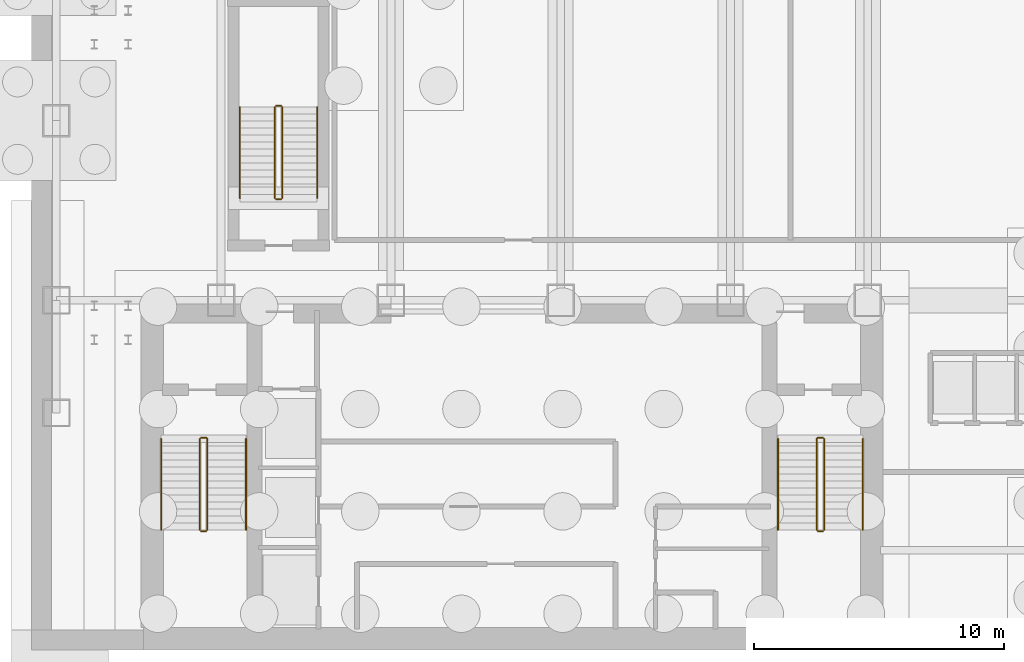
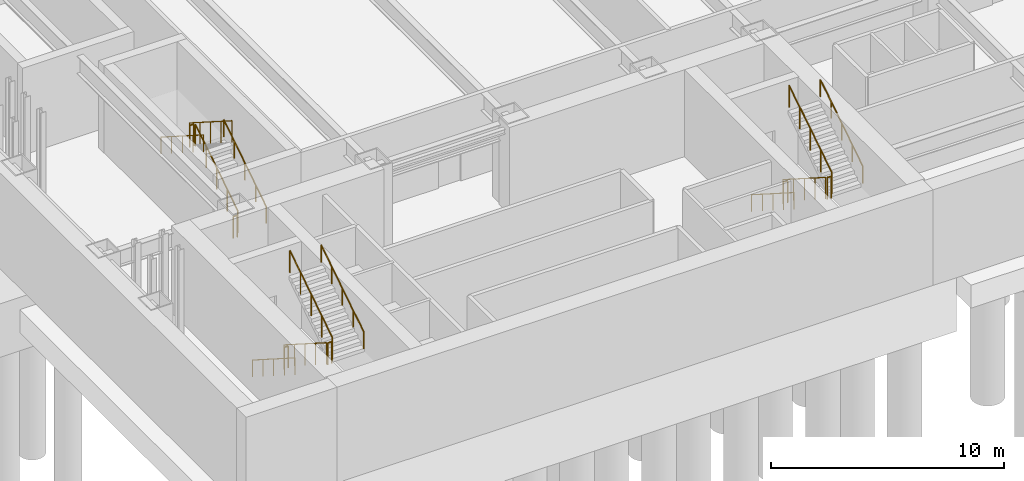
# One storey, part 14 of 17: 18 railings.
"""IFC4 building model written with IfcOpenShell, lengths in metres."""

from ifc_helpers import new_model, si_unit, derived_unit, direction, frame, origin, origin_2d, place, context, subcontext, project, spatial, circle, extrude, material, type_object, element, save


model = new_model("IFC4")

# Units and contexts
model_context = context("Model", 3, precision=1e-05, world=origin(), true_north=direction((0.0, 1.0)))
body_context = subcontext(model_context, "Body", "Model", "MODEL_VIEW")
ifc_project = project(units=[si_unit("LENGTHUNIT", "METRE"), si_unit("AREAUNIT", "SQUARE_METRE"), si_unit("VOLUMEUNIT", "CUBIC_METRE"), si_unit("PLANEANGLEUNIT", "RADIAN"), si_unit("MASSUNIT", "GRAM", prefix="KILO"), derived_unit("THERMALTRANSMITTANCEUNIT", [(si_unit("POWERUNIT", "WATT"), 1), (si_unit("LENGTHUNIT", "METRE"), -2), (si_unit("THERMODYNAMICTEMPERATUREUNIT", "KELVIN"), -1)])], contexts=[model_context])

# Site, building, storey
site_placement = place(None, origin())
site = spatial("IfcSite", under=ifc_project, at=site_placement, CompositionType="ELEMENT")
building_placement = place(site_placement, origin())
building = spatial("IfcBuilding", under=site, at=building_placement, Name="Skarnbrae Concourse Arena and Tower", CompositionType="ELEMENT")
storey_placement = place(building_placement, frame((0.0, 0.0, -10.0)))
storey = spatial("IfcBuildingStorey", under=building, at=storey_placement, Name="B02", CompositionType="ELEMENT", Elevation=-10.0)

# Railings
ifc_material = material(Name="Steel CSA G40.21 350W", Category="steel")
railing_type_1 = type_object("IfcRailingType", Name="RAIL-HANDRAIL-900", PredefinedType="HANDRAIL", material=ifc_material)
railing_1_placement = place(storey_placement, frame((5.199951171875, 8.449951171875, 0.178466796875)))
element("IfcRailing", 1, at=railing_1_placement, inside=storey, type_object=railing_type_1, Name="B02 ST-1 stair handrail 1", PredefinedType="HANDRAIL", context=body_context, shape_type="SweptSolid", body=[
    extrude(circle(Radius=0.02392578125, at=origin_2d()), frame((0.0, 0.0, 0.8759765625), z_axis=(0.0, -0.843111507901, 0.53773877045), x_axis=(1.0, 0.0, 0.0)), (0.0, 0.0, 1.0), 4.317138671875),
    extrude(circle(Radius=0.02099609375, at=origin_2d()), origin(), (0.0, 0.0, 1.0), 0.851806640625),
    extrude(circle(Radius=0.02099609375, at=origin_2d()), frame((0.0, -0.909912109375, 0.580322265625)), (0.0, 0.0, 1.0), 0.851806640625),
    extrude(circle(Radius=0.02099609375, at=origin_2d()), frame((0.0, -1.81982421875, 1.16064453125)), (0.0, 0.0, 1.0), 0.851806640625),
    extrude(circle(Radius=0.02099609375, at=origin_2d()), frame((0.0, -2.72998046875, 1.7412109375)), (0.0, 0.0, 1.0), 0.851806640625),
    extrude(circle(Radius=0.02099609375, at=origin_2d()), frame((0.0, -3.639892578125, 2.321533203125)), (0.0, 0.0, 1.0), 0.851806640625),
])
railing_2_placement = place(storey_placement, frame((8.60009765625, 4.81005859375, 2.678466796875)))
element("IfcRailing", 2, at=railing_2_placement, inside=storey, type_object=railing_type_1, Name="B02 ST-1 stair handrail 2", PredefinedType="HANDRAIL", context=body_context, shape_type="SweptSolid", body=[
    extrude(circle(Radius=0.02392578125, at=origin_2d()), frame((0.0, 0.0, 0.8759765625), z_axis=(0.0, 0.843111507901, 0.53773877045), x_axis=(-1.0, 0.0, 0.0)), (0.0, 0.0, 1.0), 4.317138671875),
    extrude(circle(Radius=0.02099609375, at=origin_2d()), origin(), (0.0, 0.0, 1.0), 0.851806640625),
    extrude(circle(Radius=0.02099609375, at=origin_2d()), frame((0.0, 0.909912109375, 0.580322265625)), (0.0, 0.0, 1.0), 0.851806640625),
    extrude(circle(Radius=0.02099609375, at=origin_2d()), frame((0.0, 1.81982421875, 1.16064453125)), (0.0, 0.0, 1.0), 0.851806640625),
    extrude(circle(Radius=0.02099609375, at=origin_2d()), frame((0.0, 2.72998046875, 1.7412109375)), (0.0, 0.0, 1.0), 0.851806640625),
    extrude(circle(Radius=0.02099609375, at=origin_2d()), frame((0.0, 3.639892578125, 2.321533203125)), (0.0, 0.0, 1.0), 0.851806640625),
])
railing_3_placement = place(storey_placement, frame((29.89990234375, 8.449951171875, 0.178466796875)))
element("IfcRailing", 3, at=railing_3_placement, inside=storey, type_object=railing_type_1, Name="B02 ST-2 stair handrail 1", PredefinedType="HANDRAIL", context=body_context, shape_type="SweptSolid", body=[
    extrude(circle(Radius=0.02392578125, at=origin_2d()), frame((0.0, 0.0, 0.8759765625), z_axis=(0.0, -0.843111507901, 0.53773877045), x_axis=(1.0, 0.0, 0.0)), (0.0, 0.0, 1.0), 4.317138671875),
    extrude(circle(Radius=0.02099609375, at=origin_2d()), origin(), (0.0, 0.0, 1.0), 0.851806640625),
    extrude(circle(Radius=0.02099609375, at=origin_2d()), frame((0.0, -0.909912109375, 0.580322265625)), (0.0, 0.0, 1.0), 0.851806640625),
    extrude(circle(Radius=0.02099609375, at=origin_2d()), frame((0.0, -1.81982421875, 1.16064453125)), (0.0, 0.0, 1.0), 0.851806640625),
    extrude(circle(Radius=0.02099609375, at=origin_2d()), frame((0.0, -2.72998046875, 1.7412109375)), (0.0, 0.0, 1.0), 0.851806640625),
    extrude(circle(Radius=0.02099609375, at=origin_2d()), frame((0.0, -3.639892578125, 2.321533203125)), (0.0, 0.0, 1.0), 0.851806640625),
])
for number, where, name in (
    (4, (33.300048828125, 4.81005859375, 2.678466796875), "B02 ST-2 stair handrail 2"),
    (5, (11.449951171875, 18.10009765625, 0.178466796875), "B02 ST-B3 stair handrail 1"),
):
    element("IfcRailing", number, at=place(storey_placement, frame(where)), inside=storey, type_object=railing_type_1, Name=name, PredefinedType="HANDRAIL", context=body_context, shape_type="SweptSolid", body=[
        extrude(circle(Radius=0.02392578125, at=origin_2d()), frame((0.0, 0.0, 0.8759765625), z_axis=(0.0, 0.843111507901, 0.53773877045), x_axis=(-1.0, 0.0, 0.0)), (0.0, 0.0, 1.0), 4.317138671875),
        extrude(circle(Radius=0.02099609375, at=origin_2d()), origin(), (0.0, 0.0, 1.0), 0.851806640625),
        extrude(circle(Radius=0.02099609375, at=origin_2d()), frame((0.0, 0.909912109375, 0.580322265625)), (0.0, 0.0, 1.0), 0.851806640625),
        extrude(circle(Radius=0.02099609375, at=origin_2d()), frame((0.0, 1.81982421875, 1.16064453125)), (0.0, 0.0, 1.0), 0.851806640625),
        extrude(circle(Radius=0.02099609375, at=origin_2d()), frame((0.0, 2.72998046875, 1.7412109375)), (0.0, 0.0, 1.0), 0.851806640625),
        extrude(circle(Radius=0.02099609375, at=origin_2d()), frame((0.0, 3.639892578125, 2.321533203125)), (0.0, 0.0, 1.0), 0.851806640625),
    ])
railing_4_placement = place(storey_placement, frame((8.35009765625, 21.739990234375, 2.678466796875)))
element("IfcRailing", 6, at=railing_4_placement, inside=storey, type_object=railing_type_1, Name="B02 ST-B3 stair handrail 2", PredefinedType="HANDRAIL", context=body_context, shape_type="SweptSolid", body=[
    extrude(circle(Radius=0.02392578125, at=origin_2d()), frame((0.0, 0.0, 0.8759765625), z_axis=(0.0, -0.843111507901, 0.53773877045), x_axis=(1.0, 0.0, 0.0)), (0.0, 0.0, 1.0), 4.317138671875),
    extrude(circle(Radius=0.02099609375, at=origin_2d()), origin(), (0.0, 0.0, 1.0), 0.851806640625),
    extrude(circle(Radius=0.02099609375, at=origin_2d()), frame((0.0, -0.909912109375, 0.580322265625)), (0.0, 0.0, 1.0), 0.851806640625),
    extrude(circle(Radius=0.02099609375, at=origin_2d()), frame((0.0, -1.81982421875, 1.16064453125)), (0.0, 0.0, 1.0), 0.851806640625),
    extrude(circle(Radius=0.02099609375, at=origin_2d()), frame((0.0, -2.72998046875, 1.7412109375)), (0.0, 0.0, 1.0), 0.851806640625),
    extrude(circle(Radius=0.02099609375, at=origin_2d()), frame((0.0, -3.639892578125, 2.321533203125)), (0.0, 0.0, 1.0), 0.851806640625),
])
railing_type_2 = type_object("IfcRailingType", Name="RAIL-STAIR-GUARD-1150", PredefinedType="GUARDRAIL", material=ifc_material)
railing_5_placement = place(storey_placement, frame((6.75, 8.449951171875, 0.178466796875)))
element("IfcRailing", 7, at=railing_5_placement, inside=storey, type_object=railing_type_2, Name="B02 ST-1 stair guard 1", PredefinedType="GUARDRAIL", context=body_context, shape_type="SweptSolid", body=[
    extrude(circle(Radius=0.02392578125, at=origin_2d()), frame((0.0, 0.0, 1.1259765625), z_axis=(0.0, -0.843111507901, 0.53773877045), x_axis=(1.0, 0.0, 0.0)), (0.0, 0.0, 1.0), 4.317138671875),
    extrude(circle(Radius=0.02099609375, at=origin_2d()), origin(), (0.0, 0.0, 1.0), 1.101806640625),
    extrude(circle(Radius=0.02099609375, at=origin_2d()), frame((0.0, -0.909912109375, 0.580322265625)), (0.0, 0.0, 1.0), 1.101806640625),
    extrude(circle(Radius=0.02099609375, at=origin_2d()), frame((0.0, -1.81982421875, 1.16064453125)), (0.0, 0.0, 1.0), 1.101806640625),
    extrude(circle(Radius=0.02099609375, at=origin_2d()), frame((0.0, -2.72998046875, 1.7412109375)), (0.0, 0.0, 1.0), 1.101806640625),
    extrude(circle(Radius=0.02099609375, at=origin_2d()), frame((0.0, -3.639892578125, 2.321533203125)), (0.0, 0.0, 1.0), 1.101806640625),
])
railing_6_placement = place(storey_placement, frame((6.800048828125, 4.760009765625, 2.5)))
element("IfcRailing", 8, at=railing_6_placement, inside=storey, type_object=railing_type_2, Name="B02 ST-1 stair guard 2", PredefinedType="GUARDRAIL", context=body_context, shape_type="SweptSolid", body=[
    extrude(circle(Radius=0.02392578125, at=origin_2d()), frame((0.0, 0.0, 1.1259765625), z_axis=(1.0, 0.0, 0.0), x_axis=(0.0, 1.0, 0.0)), (0.0, 0.0, 1.0), 0.199951171875),
    extrude(circle(Radius=0.02099609375, at=origin_2d()), origin(), (0.0, 0.0, 1.0), 1.101806640625),
    extrude(circle(Radius=0.02099609375, at=origin_2d()), frame((0.199951171875, 0.0, 0.0)), (0.0, 0.0, 1.0), 1.101806640625),
])
railing_7_placement = place(storey_placement, frame((7.050048828125, 4.81005859375, 2.678466796875)))
element("IfcRailing", 9, at=railing_7_placement, inside=storey, type_object=railing_type_2, Name="B02 ST-1 stair guard 3", PredefinedType="GUARDRAIL", context=body_context, shape_type="SweptSolid", body=[
    extrude(circle(Radius=0.02392578125, at=origin_2d()), frame((0.0, 0.0, 1.1259765625), z_axis=(0.0, 0.843111507901, 0.53773877045), x_axis=(-1.0, 0.0, 0.0)), (0.0, 0.0, 1.0), 4.317138671875),
    extrude(circle(Radius=0.02099609375, at=origin_2d()), origin(), (0.0, 0.0, 1.0), 1.101806640625),
    extrude(circle(Radius=0.02099609375, at=origin_2d()), frame((0.0, 0.909912109375, 0.580322265625)), (0.0, 0.0, 1.0), 1.101806640625),
    extrude(circle(Radius=0.02099609375, at=origin_2d()), frame((0.0, 1.81982421875, 1.16064453125)), (0.0, 0.0, 1.0), 1.101806640625),
    extrude(circle(Radius=0.02099609375, at=origin_2d()), frame((0.0, 2.72998046875, 1.7412109375)), (0.0, 0.0, 1.0), 1.101806640625),
    extrude(circle(Radius=0.02099609375, at=origin_2d()), frame((0.0, 3.639892578125, 2.321533203125)), (0.0, 0.0, 1.0), 1.101806640625),
])
railing_8_placement = place(storey_placement, frame((6.800048828125, 8.5, 0.0)))
element("IfcRailing", 10, at=railing_8_placement, inside=storey, type_object=railing_type_2, Name="B02 ST-1 stair guard 4", PredefinedType="GUARDRAIL", context=body_context, shape_type="SweptSolid", body=[
    extrude(circle(Radius=0.02392578125, at=origin_2d()), frame((0.0, 0.0, 1.1259765625), z_axis=(1.0, 0.0, 0.0), x_axis=(0.0, 1.0, 0.0)), (0.0, 0.0, 1.0), 0.199951171875),
    extrude(circle(Radius=0.02099609375, at=origin_2d()), origin(), (0.0, 0.0, 1.0), 1.101806640625),
    extrude(circle(Radius=0.02099609375, at=origin_2d()), frame((0.199951171875, 0.0, 0.0)), (0.0, 0.0, 1.0), 1.101806640625),
])
railing_9_placement = place(storey_placement, frame((31.449951171875, 8.449951171875, 0.178466796875)))
element("IfcRailing", 11, at=railing_9_placement, inside=storey, type_object=railing_type_2, Name="B02 ST-2 stair guard 1", PredefinedType="GUARDRAIL", context=body_context, shape_type="SweptSolid", body=[
    extrude(circle(Radius=0.02392578125, at=origin_2d()), frame((0.0, 0.0, 1.1259765625), z_axis=(0.0, -0.843111507901, 0.53773877045), x_axis=(1.0, 0.0, 0.0)), (0.0, 0.0, 1.0), 4.317138671875),
    extrude(circle(Radius=0.02099609375, at=origin_2d()), origin(), (0.0, 0.0, 1.0), 1.101806640625),
    extrude(circle(Radius=0.02099609375, at=origin_2d()), frame((0.0, -0.909912109375, 0.580322265625)), (0.0, 0.0, 1.0), 1.101806640625),
    extrude(circle(Radius=0.02099609375, at=origin_2d()), frame((0.0, -1.81982421875, 1.16064453125)), (0.0, 0.0, 1.0), 1.101806640625),
    extrude(circle(Radius=0.02099609375, at=origin_2d()), frame((0.0, -2.72998046875, 1.7412109375)), (0.0, 0.0, 1.0), 1.101806640625),
    extrude(circle(Radius=0.02099609375, at=origin_2d()), frame((0.0, -3.639892578125, 2.321533203125)), (0.0, 0.0, 1.0), 1.101806640625),
])
railing_10_placement = place(storey_placement, frame((31.5, 4.760009765625, 2.5)))
element("IfcRailing", 12, at=railing_10_placement, inside=storey, type_object=railing_type_2, Name="B02 ST-2 stair guard 2", PredefinedType="GUARDRAIL", context=body_context, shape_type="SweptSolid", body=[
    extrude(circle(Radius=0.02392578125, at=origin_2d()), frame((0.0, 0.0, 1.1259765625), z_axis=(1.0, 0.0, 0.0), x_axis=(0.0, 1.0, 0.0)), (0.0, 0.0, 1.0), 0.199951171875),
    extrude(circle(Radius=0.02099609375, at=origin_2d()), origin(), (0.0, 0.0, 1.0), 1.101806640625),
    extrude(circle(Radius=0.02099609375, at=origin_2d()), frame((0.199951171875, 0.0, 0.0)), (0.0, 0.0, 1.0), 1.101806640625),
])
railing_11_placement = place(storey_placement, frame((31.75, 4.81005859375, 2.678466796875)))
element("IfcRailing", 13, at=railing_11_placement, inside=storey, type_object=railing_type_2, Name="B02 ST-2 stair guard 3", PredefinedType="GUARDRAIL", context=body_context, shape_type="SweptSolid", body=[
    extrude(circle(Radius=0.02392578125, at=origin_2d()), frame((0.0, 0.0, 1.1259765625), z_axis=(0.0, 0.843111507901, 0.53773877045), x_axis=(-1.0, 0.0, 0.0)), (0.0, 0.0, 1.0), 4.317138671875),
    extrude(circle(Radius=0.02099609375, at=origin_2d()), origin(), (0.0, 0.0, 1.0), 1.101806640625),
    extrude(circle(Radius=0.02099609375, at=origin_2d()), frame((0.0, 0.909912109375, 0.580322265625)), (0.0, 0.0, 1.0), 1.101806640625),
    extrude(circle(Radius=0.02099609375, at=origin_2d()), frame((0.0, 1.81982421875, 1.16064453125)), (0.0, 0.0, 1.0), 1.101806640625),
    extrude(circle(Radius=0.02099609375, at=origin_2d()), frame((0.0, 2.72998046875, 1.7412109375)), (0.0, 0.0, 1.0), 1.101806640625),
    extrude(circle(Radius=0.02099609375, at=origin_2d()), frame((0.0, 3.639892578125, 2.321533203125)), (0.0, 0.0, 1.0), 1.101806640625),
])
railing_12_placement = place(storey_placement, frame((31.5, 8.5, 0.0)))
element("IfcRailing", 14, at=railing_12_placement, inside=storey, type_object=railing_type_2, Name="B02 ST-2 stair guard 4", PredefinedType="GUARDRAIL", context=body_context, shape_type="SweptSolid", body=[
    extrude(circle(Radius=0.02392578125, at=origin_2d()), frame((0.0, 0.0, 1.1259765625), z_axis=(1.0, 0.0, 0.0), x_axis=(0.0, 1.0, 0.0)), (0.0, 0.0, 1.0), 0.199951171875),
    extrude(circle(Radius=0.02099609375, at=origin_2d()), origin(), (0.0, 0.0, 1.0), 1.101806640625),
    extrude(circle(Radius=0.02099609375, at=origin_2d()), frame((0.199951171875, 0.0, 0.0)), (0.0, 0.0, 1.0), 1.101806640625),
])
railing_13_placement = place(storey_placement, frame((10.050048828125, 18.10009765625, 0.178466796875)))
element("IfcRailing", 15, at=railing_13_placement, inside=storey, type_object=railing_type_2, Name="B02 ST-B3 stair guard 1", PredefinedType="GUARDRAIL", context=body_context, shape_type="SweptSolid", body=[
    extrude(circle(Radius=0.02392578125, at=origin_2d()), frame((0.0, 0.0, 1.1259765625), z_axis=(0.0, 0.843111507901, 0.53773877045), x_axis=(-1.0, 0.0, 0.0)), (0.0, 0.0, 1.0), 4.317138671875),
    extrude(circle(Radius=0.02099609375, at=origin_2d()), origin(), (0.0, 0.0, 1.0), 1.101806640625),
    extrude(circle(Radius=0.02099609375, at=origin_2d()), frame((0.0, 0.909912109375, 0.580322265625)), (0.0, 0.0, 1.0), 1.101806640625),
    extrude(circle(Radius=0.02099609375, at=origin_2d()), frame((0.0, 1.81982421875, 1.16064453125)), (0.0, 0.0, 1.0), 1.101806640625),
    extrude(circle(Radius=0.02099609375, at=origin_2d()), frame((0.0, 2.72998046875, 1.7412109375)), (0.0, 0.0, 1.0), 1.101806640625),
    extrude(circle(Radius=0.02099609375, at=origin_2d()), frame((0.0, 3.639892578125, 2.321533203125)), (0.0, 0.0, 1.0), 1.101806640625),
])
railing_14_placement = place(storey_placement, frame((10.0, 21.7900390625, 2.5)))
element("IfcRailing", 16, at=railing_14_placement, inside=storey, type_object=railing_type_2, Name="B02 ST-B3 stair guard 2", PredefinedType="GUARDRAIL", context=body_context, shape_type="SweptSolid", body=[
    extrude(circle(Radius=0.02392578125, at=origin_2d()), frame((0.0, 0.0, 1.1259765625), z_axis=(-1.0, 0.0, 0.0), x_axis=(0.0, -1.0, 0.0)), (0.0, 0.0, 1.0), 0.199951171875),
    extrude(circle(Radius=0.02099609375, at=origin_2d()), origin(), (0.0, 0.0, 1.0), 1.101806640625),
    extrude(circle(Radius=0.02099609375, at=origin_2d()), frame((-0.199951171875, 0.0, 0.0)), (0.0, 0.0, 1.0), 1.101806640625),
])
railing_15_placement = place(storey_placement, frame((9.75, 21.739990234375, 2.678466796875)))
element("IfcRailing", 17, at=railing_15_placement, inside=storey, type_object=railing_type_2, Name="B02 ST-B3 stair guard 3", PredefinedType="GUARDRAIL", context=body_context, shape_type="SweptSolid", body=[
    extrude(circle(Radius=0.02392578125, at=origin_2d()), frame((0.0, 0.0, 1.1259765625), z_axis=(0.0, -0.843111507901, 0.53773877045), x_axis=(1.0, 0.0, 0.0)), (0.0, 0.0, 1.0), 4.317138671875),
    extrude(circle(Radius=0.02099609375, at=origin_2d()), origin(), (0.0, 0.0, 1.0), 1.101806640625),
    extrude(circle(Radius=0.02099609375, at=origin_2d()), frame((0.0, -0.909912109375, 0.580322265625)), (0.0, 0.0, 1.0), 1.101806640625),
    extrude(circle(Radius=0.02099609375, at=origin_2d()), frame((0.0, -1.81982421875, 1.16064453125)), (0.0, 0.0, 1.0), 1.101806640625),
    extrude(circle(Radius=0.02099609375, at=origin_2d()), frame((0.0, -2.72998046875, 1.7412109375)), (0.0, 0.0, 1.0), 1.101806640625),
    extrude(circle(Radius=0.02099609375, at=origin_2d()), frame((0.0, -3.639892578125, 2.321533203125)), (0.0, 0.0, 1.0), 1.101806640625),
])
railing_16_placement = place(storey_placement, frame((10.0, 18.050048828125, 0.0)))
element("IfcRailing", 18, at=railing_16_placement, inside=storey, type_object=railing_type_2, Name="B02 ST-B3 stair guard 4", PredefinedType="GUARDRAIL", context=body_context, shape_type="SweptSolid", body=[
    extrude(circle(Radius=0.02392578125, at=origin_2d()), frame((0.0, 0.0, 1.1259765625), z_axis=(-1.0, 0.0, 0.0), x_axis=(0.0, -1.0, 0.0)), (0.0, 0.0, 1.0), 0.199951171875),
    extrude(circle(Radius=0.02099609375, at=origin_2d()), origin(), (0.0, 0.0, 1.0), 1.101806640625),
    extrude(circle(Radius=0.02099609375, at=origin_2d()), frame((-0.199951171875, 0.0, 0.0)), (0.0, 0.0, 1.0), 1.101806640625),
])

save(model, "model.ifc")
